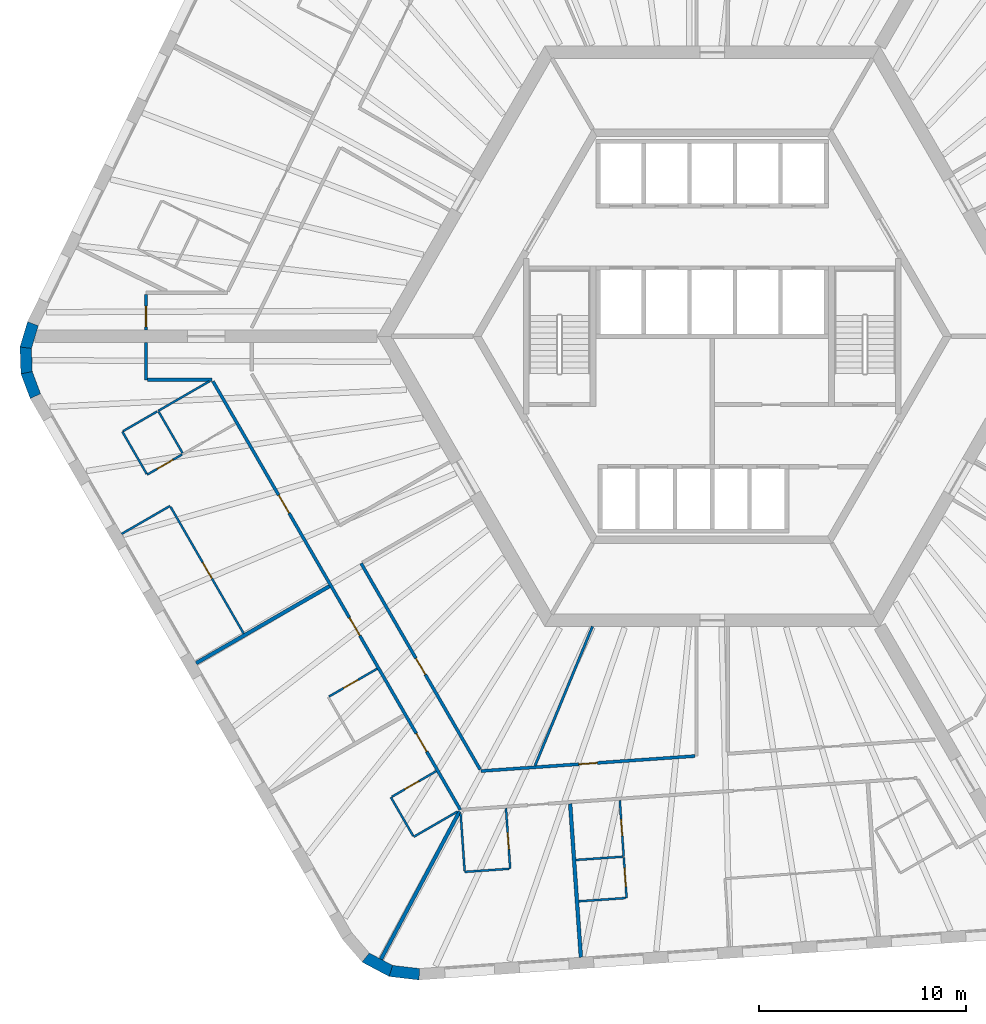
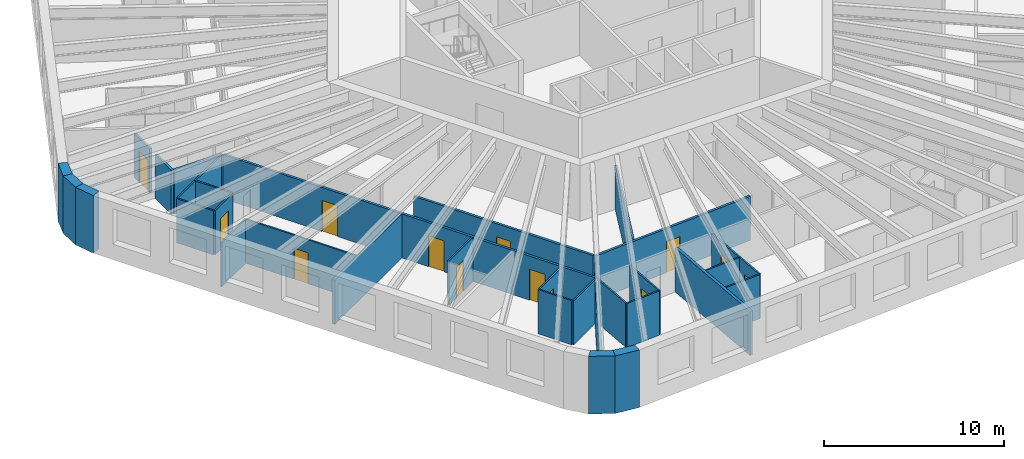
# One storey, part 3 of 12: 33 walls, 13 doors, 13 openings.
"""IFC4 building model written with IfcOpenShell, lengths in metres."""

from ifc_helpers import new_model, si_unit, direction, frame, frame_2d, origin, place, context, subcontext, project, spatial, polyline, rectangle, outline, extrude, material, layer, layer_set, type_object, element, fill, save


model = new_model("IFC4")

# Units and contexts
model_context = context("Model", 3, precision=1e-05, world=origin(), true_north=direction((0.0, 1.0)))
body_context = subcontext(model_context, "Body", "Model", "MODEL_VIEW")
ifc_project = project(units=[si_unit("LENGTHUNIT", "METRE"), si_unit("AREAUNIT", "SQUARE_METRE"), si_unit("VOLUMEUNIT", "CUBIC_METRE"), si_unit("PLANEANGLEUNIT", "RADIAN"), si_unit("MASSUNIT", "GRAM", prefix="KILO")], contexts=[model_context])

# Site, building, storey
site_placement = place(None, origin())
site = spatial("IfcSite", under=ifc_project, at=site_placement, CompositionType="ELEMENT")
building_placement = place(site_placement, origin())
building = spatial("IfcBuilding", under=site, at=building_placement, Name="Tarnside Tower", CompositionType="ELEMENT")
storey_placement = place(building_placement, frame((0.0, 0.0, 127.199951171875)))
storey = spatial("IfcBuildingStorey", under=building, at=storey_placement, Name="L29", CompositionType="ELEMENT", Elevation=127.199951171875)

# Walls
ifc_material_1 = material(Name="Gypsum board partition on steel studs", Category="steel")
ifc_layer_1 = layer(ifc_material_1, 0.10009765625)
ifc_layer_set_1 = layer_set([ifc_layer_1], Name="Bathroom wall 100")
wall_type_1 = type_object("IfcWallType", Name="Bathroom wall 100", PredefinedType="PARTITIONING", material=ifc_layer_set_1)
wall_1_placement = place(storey_placement, frame((-26.731201171875, -3.60009765625, 0.0), z_axis=(0.0, 0.0, 1.0), x_axis=(0.866004402611, 0.500036373335, 0.0)))
element("IfcWall", 1, at=wall_1_placement, inside=storey, type_object=wall_type_1, Name="Bathroom wall 09108", PredefinedType="PARTITIONING", context=body_context, shape_type="SweptSolid", body=[
    extrude(rectangle(XDim=2.849853515625, YDim=0.10009765625, at=frame_2d((1.4248046875, 0.0))), origin(), (0.0, 0.0, 1.0), 2.98779296875),
])
wall_2_placement = place(storey_placement, frame((-26.706298828125, -3.643310546875, 0.0), z_axis=(0.0, 0.0, 1.0), x_axis=(0.499952165731, -0.866053019151, 0.0)))
element("IfcWall", 2, at=wall_2_placement, inside=storey, type_object=wall_type_1, Name="Bathroom wall 09116", PredefinedType="PARTITIONING", context=body_context, shape_type="SweptSolid", body=[
    extrude(rectangle(XDim=2.300048828125, YDim=0.10009765625, at=frame_2d((1.14990234375, 0.0))), origin(), (0.0, 0.0, 1.0), 2.98779296875),
])

# Wall, opening, door
wall_3_placement = place(storey_placement, frame((-18.4853515625, -17.382568359375, 0.0), z_axis=(0.0, 0.0, 1.0), x_axis=(0.866004723184, 0.50003581814, 0.0)))
wall_3 = element("IfcWall", 3, at=wall_3_placement, inside=storey, type_object=wall_type_1, Name="Bathroom wall 09119", PredefinedType="PARTITIONING", context=body_context, shape_type="SweptSolid", body=[
    extrude(rectangle(XDim=2.675048828125, YDim=0.10009765625, at=frame_2d((1.33740234375, 0.0))), origin(), (0.0, 0.0, 1.0), 2.98779296875),
])
opening_1_placement = place(wall_3_placement, frame((0.81005859375, 0.0, 0.0)))
opening_1 = element("IfcOpeningElement", 4, at=opening_1_placement, cuts=wall_3, Name="Opening D-B1", PredefinedType="OPENING", context=body_context, shape_type="SweptSolid", body=[
    extrude(rectangle(XDim=0.800048828125, YDim=2.10009765625, at=frame_2d((0.39990234375, 1.050048828125))), frame((0.0, 0.06005859375, 0.0), z_axis=(0.0, -1.0, 0.0), x_axis=(1.0, 0.0, 0.0)), (0.0, 0.0, 1.0), 0.1201171875),
])
ifc_material_2 = material(Name="Timber door leaf", Category="wood")
door_type_1 = type_object("IfcDoorType", Name="Bathroom door 800", OperationType="NOTDEFINED", PredefinedType="DOOR", material=ifc_material_2)
door_1_placement = place(opening_1_placement, origin())
door_1 = element("IfcDoor", 5, at=door_1_placement, inside=storey, type_object=door_type_1, Name="Bathroom door 09020", OperationType="SINGLE_SWING_RIGHT", OverallHeight=2.10009765625, OverallWidth=0.800048828125, PredefinedType="DOOR", context=body_context, shape_type="SweptSolid", body=[
    extrude(rectangle(XDim=0.800048828125, YDim=2.10009765625, at=frame_2d((0.39990234375, 1.050048828125))), frame((0.0, 0.02490234375, 0.0), z_axis=(0.0, -1.0, 0.0), x_axis=(1.0, 0.0, 0.0)), (0.0, 0.0, 1.0), 0.050048828125),
])
fill(opening_1, door_1)

# Walls
wall_4_placement = place(storey_placement, frame((-12.299560546875, -22.93896484375, 0.0), z_axis=(0.0, 0.0, 1.0), x_axis=(-0.866044985707, -0.499966081581, 0.0)))
element("IfcWall", 6, at=wall_4_placement, inside=storey, type_object=wall_type_1, Name="Bathroom wall 09122", PredefinedType="PARTITIONING", context=body_context, shape_type="SweptSolid", body=[
    extrude(rectangle(XDim=2.428955078125, YDim=0.10009765625, at=frame_2d((1.21435546875, 0.0))), origin(), (0.0, 0.0, 1.0), 2.98779296875),
])
wall_5_placement = place(storey_placement, frame((-14.427978515625, -24.110107421875, 0.0), z_axis=(0.0, 0.0, 1.0), x_axis=(-0.499961633463, 0.866047553582, 0.0)))
element("IfcWall", 7, at=wall_5_placement, inside=storey, type_object=wall_type_1, Name="Bathroom wall 09123", PredefinedType="PARTITIONING", context=body_context, shape_type="SweptSolid", body=[
    extrude(rectangle(XDim=2.150146484375, YDim=0.10009765625, at=frame_2d((1.0751953125, 0.0))), origin(), (0.0, 0.0, 1.0), 2.98779296875),
])

# Wall, opening, door
wall_6_placement = place(storey_placement, frame((-15.459716796875, -22.22314453125, 0.0), z_axis=(0.0, 0.0, 1.0), x_axis=(0.866031185235, 0.4999899861, 0.0)))
wall_6 = element("IfcWall", 8, at=wall_6_placement, inside=storey, type_object=wall_type_1, Name="Bathroom wall 09124", PredefinedType="PARTITIONING", context=body_context, shape_type="SweptSolid", body=[
    extrude(rectangle(XDim=2.47509765625, YDim=0.10009765625, at=frame_2d((1.237548828125, 0.0))), origin(), (0.0, 0.0, 1.0), 2.98779296875),
])
opening_2_placement = place(wall_6_placement, frame((0.719970703125, 0.0, 0.0)))
opening_2 = element("IfcOpeningElement", 9, at=opening_2_placement, cuts=wall_6, Name="Opening D-B1", PredefinedType="OPENING", context=body_context, shape_type="SweptSolid", body=[
    extrude(rectangle(XDim=0.800048828125, YDim=2.10009765625, at=frame_2d((0.39990234375, 1.050048828125))), frame((0.0, 0.06005859375, 0.0), z_axis=(0.0, -1.0, 0.0), x_axis=(1.0, 0.0, 0.0)), (0.0, 0.0, 1.0), 0.1201171875),
])
door_2_placement = place(opening_2_placement, origin())
door_2 = element("IfcDoor", 10, at=door_2_placement, inside=storey, type_object=door_type_1, Name="Bathroom door 09022", OperationType="SINGLE_SWING_RIGHT", OverallHeight=2.10009765625, OverallWidth=0.800048828125, PredefinedType="DOOR", context=body_context, shape_type="SweptSolid", body=[
    extrude(rectangle(XDim=0.800048828125, YDim=2.10009765625, at=frame_2d((0.39990234375, 1.050048828125))), frame((0.0, 0.02490234375, 0.0), z_axis=(0.0, -1.0, 0.0), x_axis=(1.0, 0.0, 0.0)), (0.0, 0.0, 1.0), 0.050048828125),
])
fill(opening_2, door_2)

wall_7_placement = place(storey_placement, frame((-9.951416015625, -22.774658203125, 0.0), z_axis=(0.0, 0.0, 1.0), x_axis=(0.069775971057, -0.997562686683, 0.0)))
wall_7 = element("IfcWall", 11, at=wall_7_placement, inside=storey, type_object=wall_type_1, Name="Bathroom wall 09126", PredefinedType="PARTITIONING", context=body_context, shape_type="SweptSolid", body=[
    extrude(rectangle(XDim=2.925048828125, YDim=0.10009765625, at=frame_2d((1.46240234375, 0.0))), origin(), (0.0, 0.0, 1.0), 2.98779296875),
])
opening_3_placement = place(wall_7_placement, frame((1.175048828125, 0.0, 0.0)))
opening_3 = element("IfcOpeningElement", 12, at=opening_3_placement, cuts=wall_7, Name="Opening D-B1", PredefinedType="OPENING", context=body_context, shape_type="SweptSolid", body=[
    extrude(rectangle(XDim=0.800048828125, YDim=2.10009765625, at=frame_2d((0.39990234375, 1.050048828125))), frame((0.0, 0.06005859375, 0.0), z_axis=(0.0, -1.0, 0.0), x_axis=(1.0, 0.0, 0.0)), (0.0, 0.0, 1.0), 0.1201171875),
])
door_3_placement = place(opening_3_placement, origin())
door_3 = element("IfcDoor", 13, at=door_3_placement, inside=storey, type_object=door_type_1, Name="Bathroom door 09024", OperationType="SINGLE_SWING_LEFT", OverallHeight=2.10009765625, OverallWidth=0.800048828125, PredefinedType="DOOR", context=body_context, shape_type="SweptSolid", body=[
    extrude(rectangle(XDim=0.800048828125, YDim=2.10009765625, at=frame_2d((0.39990234375, 1.050048828125))), frame((0.0, 0.02490234375, 0.0), z_axis=(0.0, -1.0, 0.0), x_axis=(1.0, 0.0, 0.0)), (0.0, 0.0, 1.0), 0.050048828125),
])
fill(opening_3, door_3)

# Walls
wall_8_placement = place(storey_placement, frame((-9.79736328125, -25.696044921875, 0.0), z_axis=(0.0, 0.0, 1.0), x_axis=(-0.997566475845, -0.069721777595, 0.0)))
element("IfcWall", 14, at=wall_8_placement, inside=storey, type_object=wall_type_1, Name="Bathroom wall 09127", PredefinedType="PARTITIONING", context=body_context, shape_type="SweptSolid", body=[
    extrude(rectangle(XDim=2.14990234375, YDim=0.10009765625, at=frame_2d((1.074951171875, 0.0))), origin(), (0.0, 0.0, 1.0), 2.98779296875),
])
wall_9_placement = place(storey_placement, frame((-11.945556640625, -25.796142578125, 0.0), z_axis=(0.0, 0.0, 1.0), x_axis=(-0.069754817075, 0.997564166104, 0.0)))
element("IfcWall", 15, at=wall_9_placement, inside=storey, type_object=wall_type_1, Name="Bathroom wall 09128", PredefinedType="PARTITIONING", context=body_context, shape_type="SweptSolid", body=[
    extrude(rectangle(XDim=2.779052734375, YDim=0.10009765625, at=frame_2d((1.3896484375, 0.0))), origin(), (0.0, 0.0, 1.0), 2.98779296875),
])

# Wall, opening, door
wall_10_placement = place(storey_placement, frame((-4.4599609375, -22.390625, 0.0), z_axis=(0.0, 0.0, 1.0), x_axis=(0.069699857203, -0.99756800766, 0.0)))
wall_10 = element("IfcWall", 16, at=wall_10_placement, inside=storey, type_object=wall_type_1, Name="Bathroom wall 09132", PredefinedType="PARTITIONING", context=body_context, shape_type="SweptSolid", body=[
    extrude(rectangle(XDim=2.72509765625, YDim=0.10009765625, at=frame_2d((1.362548828125, 0.0))), origin(), (0.0, 0.0, 1.0), 2.98779296875),
])
opening_4_placement = place(wall_10_placement, frame((0.925048828125, 0.0, 0.0)))
opening_4 = element("IfcOpeningElement", 17, at=opening_4_placement, cuts=wall_10, Name="Opening D-B1", PredefinedType="OPENING", context=body_context, shape_type="SweptSolid", body=[
    extrude(rectangle(XDim=0.800048828125, YDim=2.10009765625, at=frame_2d((0.39990234375, 1.050048828125))), frame((0.0, 0.06005859375, 0.0), z_axis=(0.0, -1.0, 0.0), x_axis=(1.0, 0.0, 0.0)), (0.0, 0.0, 1.0), 0.1201171875),
])
door_4_placement = place(opening_4_placement, origin())
door_4 = element("IfcDoor", 18, at=door_4_placement, inside=storey, type_object=door_type_1, Name="Bathroom door 09026", OperationType="SINGLE_SWING_RIGHT", OverallHeight=2.10009765625, OverallWidth=0.800048828125, PredefinedType="DOOR", context=body_context, shape_type="SweptSolid", body=[
    extrude(rectangle(XDim=0.800048828125, YDim=2.10009765625, at=frame_2d((0.39990234375, 1.050048828125))), frame((0.0, 0.02490234375, 0.0), z_axis=(0.0, -1.0, 0.0), x_axis=(1.0, 0.0, 0.0)), (0.0, 0.0, 1.0), 0.050048828125),
])
fill(opening_4, door_4)

# Wall
wall_11_placement = place(storey_placement, frame((-6.574462890625, -25.270263671875, 0.0), z_axis=(0.0, 0.0, 1.0), x_axis=(0.997562351999, 0.069780755754, 0.0)))
element("IfcWall", 19, at=wall_11_placement, inside=storey, type_object=wall_type_1, Name="Bathroom wall 09138", PredefinedType="PARTITIONING", context=body_context, shape_type="SweptSolid", body=[
    extrude(rectangle(XDim=2.26025390625, YDim=0.10009765625, at=frame_2d((1.130126953125, 0.0))), origin(), (0.0, 0.0, 1.0), 2.98779296875),
])

# Wall, opening, door
ifc_layer_2 = layer(ifc_material_1, 0.14990234375)
ifc_layer_set_2 = layer_set([ifc_layer_2], Name="Corridor wall 150 EI 60")
wall_type_2 = type_object("IfcWallType", Name="Corridor wall 150 EI 60", PredefinedType="PARTITIONING", material=ifc_layer_set_2)
wall_12_placement = place(storey_placement, frame((-27.3203125, 2.02490234375, 0.0), z_axis=(0.0, 0.0, 1.0), x_axis=(0.0, -1.0, 0.0)))
wall_12 = element("IfcWall", 20, at=wall_12_placement, inside=storey, type_object=wall_type_2, Name="Corridor wall 09016", PredefinedType="PARTITIONING", context=body_context, shape_type="SweptSolid", body=[
    extrude(rectangle(XDim=1.724853515625, YDim=0.14990234375, at=frame_2d((0.8623046875, 0.0))), origin(), (0.0, 0.0, 1.0), 2.98779296875),
])
opening_5_placement = place(wall_12_placement, frame((0.574951171875, 0.0, 0.0)))
opening_5 = element("IfcOpeningElement", 21, at=opening_5_placement, cuts=wall_12, Name="Opening D-E1", PredefinedType="OPENING", context=body_context, shape_type="SweptSolid", body=[
    extrude(rectangle(XDim=1.0, YDim=2.10009765625, at=frame_2d((0.5, 1.050048828125))), frame((0.0, 0.0849609375, 0.0), z_axis=(0.0, -1.0, 0.0), x_axis=(1.0, 0.0, 0.0)), (0.0, 0.0, 1.0), 0.169921875),
])
door_type_2 = type_object("IfcDoorType", Name="Unit entrance door 1000 FD30S", OperationType="NOTDEFINED", PredefinedType="DOOR", material=ifc_material_2)
door_5_placement = place(opening_5_placement, origin())
door_5 = element("IfcDoor", 22, at=door_5_placement, inside=storey, type_object=door_type_2, Name="Unit door 09014", OperationType="SINGLE_SWING_LEFT", OverallHeight=2.10009765625, OverallWidth=1.0, PredefinedType="DOOR", context=body_context, shape_type="SweptSolid", body=[
    extrude(rectangle(XDim=1.0, YDim=2.10009765625, at=frame_2d((0.5, 1.050048828125))), frame((0.0, 0.02490234375, 0.0), z_axis=(0.0, -1.0, 0.0), x_axis=(1.0, 0.0, 0.0)), (0.0, 0.0, 1.0), 0.050048828125),
])
fill(opening_5, door_5)

# Walls
wall_13_placement = place(storey_placement, frame((-27.3203125, -0.300048828125, 0.0), z_axis=(0.0, 0.0, 1.0), x_axis=(0.0, -1.0, 0.0)))
element("IfcWall", 23, at=wall_13_placement, inside=storey, type_object=wall_type_2, Name="Corridor wall 09027", PredefinedType="PARTITIONING", context=body_context, shape_type="SweptSolid", body=[
    extrude(rectangle(XDim=1.800048828125, YDim=0.14990234375, at=frame_2d((0.89990234375, 0.0))), origin(), (0.0, 0.0, 1.0), 2.98779296875),
])
wall_14_placement = place(storey_placement, frame((-27.245361328125, -2.10009765625, 0.0), z_axis=(0.0, 0.0, 1.0), x_axis=(1.0, 0.0, 0.0)))
element("IfcWall", 24, at=wall_14_placement, inside=storey, type_object=wall_type_2, Name="Corridor wall 09028", PredefinedType="PARTITIONING", context=body_context, shape_type="SweptSolid", body=[
    extrude(rectangle(XDim=3.112060546875, YDim=0.14990234375, at=frame_2d((1.55615234375, 0.0))), origin(), (0.0, 0.0, 1.0), 2.98779296875),
])

# Wall, openings, doors
wall_15_placement = place(storey_placement, frame((-24.08984375, -2.175048828125, 0.0), z_axis=(0.0, 0.0, 1.0), x_axis=(0.499996832073, -0.86602723278, 0.0)))
wall_15 = element("IfcWall", 25, at=wall_15_placement, inside=storey, type_object=wall_type_2, Name="Corridor wall 09029", PredefinedType="PARTITIONING", context=body_context, shape_type="SweptSolid", body=[
    extrude(rectangle(XDim=23.877197265625, YDim=0.14990234375, at=frame_2d((11.9384765625, 0.0))), origin(), (0.0, 0.0, 1.0), 2.98779296875),
])
opening_6_placement = place(wall_15_placement, frame((6.343017578125, 0.0, 0.0)))
opening_6 = element("IfcOpeningElement", 26, at=opening_6_placement, cuts=wall_15, Name="Opening D-E1", PredefinedType="OPENING", context=body_context, shape_type="SweptSolid", body=[
    extrude(rectangle(XDim=1.0, YDim=2.10009765625, at=frame_2d((0.5, 1.050048828125))), frame((0.0, 0.0849609375, 0.0), z_axis=(0.0, -1.0, 0.0), x_axis=(1.0, 0.0, 0.0)), (0.0, 0.0, 1.0), 0.169921875),
])
opening_7_placement = place(wall_15_placement, frame((13.17236328125, 0.0, 0.0)))
opening_7 = element("IfcOpeningElement", 27, at=opening_7_placement, cuts=wall_15, Name="Opening D-E1", PredefinedType="OPENING", context=body_context, shape_type="SweptSolid", body=[
    extrude(rectangle(XDim=1.0, YDim=2.10009765625, at=frame_2d((0.5, 1.050048828125))), frame((0.0, 0.0849609375, 0.0), z_axis=(0.0, -1.0, 0.0), x_axis=(1.0, 0.0, 0.0)), (0.0, 0.0, 1.0), 0.169921875),
])
opening_8_placement = place(wall_15_placement, frame((19.624755859375, 0.0, 0.0)))
opening_8 = element("IfcOpeningElement", 28, at=opening_8_placement, cuts=wall_15, Name="Opening D-E1", PredefinedType="OPENING", context=body_context, shape_type="SweptSolid", body=[
    extrude(rectangle(XDim=1.0, YDim=2.10009765625, at=frame_2d((0.5, 1.050048828125))), frame((0.0, 0.0849609375, 0.0), z_axis=(0.0, -1.0, 0.0), x_axis=(1.0, 0.0, 0.0)), (0.0, 0.0, 1.0), 0.169921875),
])
door_6_placement = place(opening_6_placement, origin())
door_6 = element("IfcDoor", 29, at=door_6_placement, inside=storey, type_object=door_type_2, Name="Unit door 09015", OperationType="SINGLE_SWING_LEFT", OverallHeight=2.10009765625, OverallWidth=1.0, PredefinedType="DOOR", context=body_context, shape_type="SweptSolid", body=[
    extrude(rectangle(XDim=1.0, YDim=2.10009765625, at=frame_2d((0.5, 1.050048828125))), frame((0.0, 0.02490234375, 0.0), z_axis=(0.0, -1.0, 0.0), x_axis=(1.0, 0.0, 0.0)), (0.0, 0.0, 1.0), 0.050048828125),
])
fill(opening_6, door_6)
door_7_placement = place(opening_7_placement, origin())
door_7 = element("IfcDoor", 30, at=door_7_placement, inside=storey, type_object=door_type_2, Name="Unit door 09019", OperationType="SINGLE_SWING_LEFT", OverallHeight=2.10009765625, OverallWidth=1.0, PredefinedType="DOOR", context=body_context, shape_type="SweptSolid", body=[
    extrude(rectangle(XDim=1.0, YDim=2.10009765625, at=frame_2d((0.5, 1.050048828125))), frame((0.0, 0.02490234375, 0.0), z_axis=(0.0, -1.0, 0.0), x_axis=(1.0, 0.0, 0.0)), (0.0, 0.0, 1.0), 0.050048828125),
])
fill(opening_7, door_7)
door_8_placement = place(opening_8_placement, origin())
door_8 = element("IfcDoor", 31, at=door_8_placement, inside=storey, type_object=door_type_2, Name="Unit door 09021", OperationType="SINGLE_SWING_RIGHT", OverallHeight=2.10009765625, OverallWidth=1.0, PredefinedType="DOOR", context=body_context, shape_type="SweptSolid", body=[
    extrude(rectangle(XDim=1.0, YDim=2.10009765625, at=frame_2d((0.5, 1.050048828125))), frame((0.0, 0.02490234375, 0.0), z_axis=(0.0, -1.0, 0.0), x_axis=(1.0, 0.0, 0.0)), (0.0, 0.0, 1.0), 0.050048828125),
])
fill(opening_8, door_8)

# Wall, opening, door
wall_16_placement = place(storey_placement, frame((-0.824951171875, -20.2568359375, 0.0), z_axis=(0.0, 0.0, 1.0), x_axis=(-0.9975635143, -0.069764137903, 0.0)))
wall_16 = element("IfcWall", 32, at=wall_16_placement, inside=storey, type_object=wall_type_2, Name="Corridor wall 09048", PredefinedType="PARTITIONING", context=body_context, shape_type="SweptSolid", body=[
    extrude(rectangle(XDim=10.35498046875, YDim=0.14990234375, at=frame_2d((5.177490234375, 0.0))), origin(), (0.0, 0.0, 1.0), 2.98779296875),
])
opening_9_placement = place(wall_16_placement, frame((4.7275390625, 0.0, 0.0)))
opening_9 = element("IfcOpeningElement", 33, at=opening_9_placement, cuts=wall_16, Name="Opening D-S1", PredefinedType="OPENING", context=body_context, shape_type="SweptSolid", body=[
    extrude(rectangle(XDim=0.89990234375, YDim=2.10009765625, at=frame_2d((0.449951171875, 1.050048828125))), frame((0.0, 0.0849609375, 0.0), z_axis=(0.0, -1.0, 0.0), x_axis=(1.0, 0.0, 0.0)), (0.0, 0.0, 1.0), 0.169921875),
])
door_type_3 = type_object("IfcDoorType", Name="Service room door 900 FD30S", OperationType="NOTDEFINED", PredefinedType="DOOR", material=ifc_material_2)
door_9_placement = place(opening_9_placement, origin())
door_9 = element("IfcDoor", 34, at=door_9_placement, inside=storey, type_object=door_type_3, Name="Service door 09050", OperationType="SINGLE_SWING_LEFT", OverallHeight=2.10009765625, OverallWidth=0.89990234375, PredefinedType="DOOR", context=body_context, shape_type="SweptSolid", body=[
    extrude(rectangle(XDim=0.89990234375, YDim=2.10009765625, at=frame_2d((0.449951171875, 1.050048828125))), frame((0.0, 0.02490234375, 0.0), z_axis=(0.0, -1.0, 0.0), x_axis=(1.0, 0.0, 0.0)), (0.0, 0.0, 1.0), 0.050048828125),
])
fill(opening_9, door_9)

wall_17_placement = place(storey_placement, frame((-11.196533203125, -20.906982421875, 0.0), z_axis=(0.0, 0.0, 1.0), x_axis=(-0.500004557924, 0.86602277225, 0.0)))
wall_17 = element("IfcWall", 35, at=wall_17_placement, inside=storey, type_object=wall_type_2, Name="Corridor wall 09050", PredefinedType="PARTITIONING", context=body_context, shape_type="SweptSolid", body=[
    extrude(rectangle(XDim=11.48681640625, YDim=0.14990234375, at=frame_2d((5.743408203125, 0.0))), origin(), (0.0, 0.0, 1.0), 2.98779296875),
])
opening_10_placement = place(wall_17_placement, frame((5.293212890625, 0.0, 0.0)))
opening_10 = element("IfcOpeningElement", 36, at=opening_10_placement, cuts=wall_17, Name="Opening D-S1", PredefinedType="OPENING", context=body_context, shape_type="SweptSolid", body=[
    extrude(rectangle(XDim=0.89990234375, YDim=2.10009765625, at=frame_2d((0.449951171875, 1.050048828125))), frame((0.0, 0.0849609375, 0.0), z_axis=(0.0, -1.0, 0.0), x_axis=(1.0, 0.0, 0.0)), (0.0, 0.0, 1.0), 0.169921875),
])
door_10_placement = place(opening_10_placement, origin())
door_10 = element("IfcDoor", 37, at=door_10_placement, inside=storey, type_object=door_type_3, Name="Service door 09051", OperationType="SINGLE_SWING_RIGHT", OverallHeight=2.10009765625, OverallWidth=0.89990234375, PredefinedType="DOOR", context=body_context, shape_type="SweptSolid", body=[
    extrude(rectangle(XDim=0.89990234375, YDim=2.10009765625, at=frame_2d((0.449951171875, 1.050048828125))), frame((0.0, 0.02490234375, 0.0), z_axis=(0.0, -1.0, 0.0), x_axis=(1.0, 0.0, 0.0)), (0.0, 0.0, 1.0), 0.050048828125),
])
fill(opening_10, door_10)

# Walls
ifc_layer_3 = layer(ifc_material_1, 0.179931640625)
ifc_layer_set_3 = layer_set([ifc_layer_3], Name="Demising wall 180 EI 60")
wall_type_3 = type_object("IfcWallType", Name="Demising wall 180 EI 60", PredefinedType="PARTITIONING", material=ifc_layer_set_3)
wall_18_placement = place(storey_placement, frame((-24.89892578125, -15.773681640625, 0.0), z_axis=(0.0, 0.0, 1.0), x_axis=(0.866028983062, 0.499993800457, 0.0)))
element("IfcWall", 38, at=wall_18_placement, inside=storey, type_object=wall_type_3, Name="Demising wall 09115", PredefinedType="PARTITIONING", context=body_context, shape_type="SweptSolid", body=[
    extrude(rectangle(XDim=7.4248046875, YDim=0.179931640625, at=frame_2d((3.71240234375, 0.0))), origin(), (0.0, 0.0, 1.0), 2.98779296875),
])
wall_19_placement = place(storey_placement, frame((-15.98291015625, -30.059326171875, 0.0), z_axis=(0.0, 0.0, 1.0), x_axis=(0.469476547643, 0.882944942346, 0.0)))
element("IfcWall", 39, at=wall_19_placement, inside=storey, type_object=wall_type_3, Name="Demising wall 09125", PredefinedType="PARTITIONING", context=body_context, shape_type="SweptSolid", body=[
    extrude(rectangle(XDim=8.072998046875, YDim=0.179931640625, at=frame_2d((4.03662109375, 0.0))), origin(), (0.0, 0.0, 1.0), 2.98779296875),
])
wall_20_placement = place(storey_placement, frame((-6.336181640625, -29.965087890625, 0.0), z_axis=(0.0, 0.0, 1.0), x_axis=(-0.06977252161, 0.997562927954, 0.0)))
element("IfcWall", 40, at=wall_20_placement, inside=storey, type_object=wall_type_3, Name="Demising wall 09129", PredefinedType="PARTITIONING", context=body_context, shape_type="SweptSolid", body=[
    extrude(rectangle(XDim=7.425048828125, YDim=0.179931640625, at=frame_2d((3.71240234375, 0.0))), origin(), (0.0, 0.0, 1.0), 2.98779296875),
])

# Wall, opening, door
ifc_layer_4 = layer(ifc_material_1, 0.10009765625)
ifc_layer_set_4 = layer_set([ifc_layer_4], Name="Partition 100")
wall_type_4 = type_object("IfcWallType", Name="Partition 100", PredefinedType="PARTITIONING", material=ifc_layer_set_4)
wall_21_placement = place(storey_placement, frame((-25.57470703125, -5.703369140625, 0.0), z_axis=(0.0, 0.0, 1.0), x_axis=(-0.866000020948, -0.500043961785, 0.0)))
wall_21 = element("IfcWall", 41, at=wall_21_placement, inside=storey, type_object=wall_type_4, Name="Partition wall 09110", PredefinedType="PARTITIONING", context=body_context, shape_type="SweptSolid", body=[
    extrude(rectangle(XDim=1.949951171875, YDim=0.10009765625, at=frame_2d((0.97509765625, 0.0))), origin(), (0.0, 0.0, 1.0), 2.98779296875),
])
opening_11_placement = place(wall_21_placement, frame((0.5, 0.0, 0.0)))
opening_11 = element("IfcOpeningElement", 42, at=opening_11_placement, cuts=wall_21, Name="Opening D-I1", PredefinedType="OPENING", context=body_context, shape_type="SweptSolid", body=[
    extrude(rectangle(XDim=0.89990234375, YDim=2.10009765625, at=frame_2d((0.449951171875, 1.050048828125))), frame((0.0, 0.06005859375, 0.0), z_axis=(0.0, -1.0, 0.0), x_axis=(1.0, 0.0, 0.0)), (0.0, 0.0, 1.0), 0.1201171875),
])
door_type_4 = type_object("IfcDoorType", Name="Internal door 900", OperationType="NOTDEFINED", PredefinedType="DOOR", material=ifc_material_2)
door_11_placement = place(opening_11_placement, origin())
door_11 = element("IfcDoor", 43, at=door_11_placement, inside=storey, type_object=door_type_4, Name="Internal door 09017", OperationType="SINGLE_SWING_RIGHT", OverallHeight=2.10009765625, OverallWidth=0.89990234375, PredefinedType="DOOR", context=body_context, shape_type="SweptSolid", body=[
    extrude(rectangle(XDim=0.89990234375, YDim=2.10009765625, at=frame_2d((0.449951171875, 1.050048828125))), frame((0.0, 0.02490234375, 0.0), z_axis=(0.0, -1.0, 0.0), x_axis=(1.0, 0.0, 0.0)), (0.0, 0.0, 1.0), 0.050048828125),
])
fill(opening_11, door_11)

# Walls
wall_22_placement = place(storey_placement, frame((-27.288330078125, -6.63525390625, 0.0), z_axis=(0.0, 0.0, 1.0), x_axis=(-0.500016218704, 0.866016039709, 0.0)))
element("IfcWall", 44, at=wall_22_placement, inside=storey, type_object=wall_type_4, Name="Partition wall 09111", PredefinedType="PARTITIONING", context=body_context, shape_type="SweptSolid", body=[
    extrude(rectangle(XDim=2.35009765625, YDim=0.10009765625, at=frame_2d((1.175048828125, 0.0))), origin(), (0.0, 0.0, 1.0), 2.98779296875),
])
wall_23_placement = place(storey_placement, frame((-28.420166015625, -4.574951171875, 0.0), z_axis=(0.0, 0.0, 1.0), x_axis=(0.866044365799, 0.499967155389, 0.0)))
element("IfcWall", 45, at=wall_23_placement, inside=storey, type_object=wall_type_4, Name="Partition wall 09112", PredefinedType="PARTITIONING", context=body_context, shape_type="SweptSolid", body=[
    extrude(rectangle(XDim=1.900146484375, YDim=0.10009765625, at=frame_2d((0.9501953125, 0.0))), origin(), (0.0, 0.0, 1.0), 2.98779296875),
])
wall_24_placement = place(storey_placement, frame((-28.4990234375, -9.538330078125, 0.0), z_axis=(0.0, 0.0, 1.0), x_axis=(0.866059108428, 0.4999416173, 0.0)))
element("IfcWall", 46, at=wall_24_placement, inside=storey, type_object=wall_type_4, Name="Partition wall 09113", PredefinedType="PARTITIONING", context=body_context, shape_type="SweptSolid", body=[
    extrude(rectangle(XDim=2.699951171875, YDim=0.10009765625, at=frame_2d((1.35009765625, 0.0))), origin(), (0.0, 0.0, 1.0), 2.98779296875),
])

# Wall, opening, door
wall_25_placement = place(storey_placement, frame((-26.1357421875, -8.231689453125, 0.0), z_axis=(0.0, 0.0, 1.0), x_axis=(0.499995846692, -0.866027801685, 0.0)))
wall_25 = element("IfcWall", 47, at=wall_25_placement, inside=storey, type_object=wall_type_4, Name="Partition wall 09114", PredefinedType="PARTITIONING", context=body_context, shape_type="SweptSolid", body=[
    extrude(rectangle(XDim=7.06005859375, YDim=0.10009765625, at=frame_2d((3.530029296875, 0.0))), origin(), (0.0, 0.0, 1.0), 2.98779296875),
])
opening_12_placement = place(wall_25_placement, frame((3.10009765625, 0.0, 0.0)))
opening_12 = element("IfcOpeningElement", 48, at=opening_12_placement, cuts=wall_25, Name="Opening D-I1", PredefinedType="OPENING", context=body_context, shape_type="SweptSolid", body=[
    extrude(rectangle(XDim=0.89990234375, YDim=2.10009765625, at=frame_2d((0.449951171875, 1.050048828125))), frame((0.0, 0.06005859375, 0.0), z_axis=(0.0, -1.0, 0.0), x_axis=(1.0, 0.0, 0.0)), (0.0, 0.0, 1.0), 0.1201171875),
])
door_12_placement = place(opening_12_placement, origin())
door_12 = element("IfcDoor", 49, at=door_12_placement, inside=storey, type_object=door_type_4, Name="Internal door 09018", OperationType="SINGLE_SWING_RIGHT", OverallHeight=2.10009765625, OverallWidth=0.89990234375, PredefinedType="DOOR", context=body_context, shape_type="SweptSolid", body=[
    extrude(rectangle(XDim=0.89990234375, YDim=2.10009765625, at=frame_2d((0.449951171875, 1.050048828125))), frame((0.0, 0.02490234375, 0.0), z_axis=(0.0, -1.0, 0.0), x_axis=(1.0, 0.0, 0.0)), (0.0, 0.0, 1.0), 0.050048828125),
])
fill(opening_12, door_12)

wall_26_placement = place(storey_placement, frame((-4.2666015625, -25.158935546875, 0.0), z_axis=(0.0, 0.0, 1.0), x_axis=(0.06985902805, -0.997556873667, 0.0)))
wall_26 = element("IfcWall", 50, at=wall_26_placement, inside=storey, type_object=wall_type_4, Name="Partition wall 09133", PredefinedType="PARTITIONING", context=body_context, shape_type="SweptSolid", body=[
    extrude(rectangle(XDim=1.9501953125, YDim=0.10009765625, at=frame_2d((0.97509765625, 0.0))), origin(), (0.0, 0.0, 1.0), 2.98779296875),
])
opening_13_placement = place(wall_26_placement, frame((0.5, 0.0, 0.0)))
opening_13 = element("IfcOpeningElement", 51, at=opening_13_placement, cuts=wall_26, Name="Opening D-I1", PredefinedType="OPENING", context=body_context, shape_type="SweptSolid", body=[
    extrude(rectangle(XDim=0.89990234375, YDim=2.10009765625, at=frame_2d((0.449951171875, 1.050048828125))), frame((0.0, 0.06005859375, 0.0), z_axis=(0.0, -1.0, 0.0), x_axis=(1.0, 0.0, 0.0)), (0.0, 0.0, 1.0), 0.1201171875),
])
door_13_placement = place(opening_13_placement, origin())
door_13 = element("IfcDoor", 52, at=door_13_placement, inside=storey, type_object=door_type_4, Name="Internal door 09027", OperationType="SINGLE_SWING_RIGHT", OverallHeight=2.10009765625, OverallWidth=0.89990234375, PredefinedType="DOOR", context=body_context, shape_type="SweptSolid", body=[
    extrude(rectangle(XDim=0.89990234375, YDim=2.10009765625, at=frame_2d((0.449951171875, 1.050048828125))), frame((0.0, 0.02490234375, 0.0), z_axis=(0.0, -1.0, 0.0), x_axis=(1.0, 0.0, 0.0)), (0.0, 0.0, 1.0), 0.050048828125),
])
fill(opening_13, door_13)

# Walls
wall_27_placement = place(storey_placement, frame((-4.180419921875, -27.107666015625, 0.0), z_axis=(0.0, 0.0, 1.0), x_axis=(-0.997561825928, -0.069788275888, 0.0)))
element("IfcWall", 53, at=wall_27_placement, inside=storey, type_object=wall_type_4, Name="Partition wall 09134", PredefinedType="PARTITIONING", context=body_context, shape_type="SweptSolid", body=[
    extrude(rectangle(XDim=2.260009765625, YDim=0.10009765625, at=frame_2d((1.1298828125, 0.0))), origin(), (0.0, 0.0, 1.0), 2.98779296875),
])
ifc_layer_5 = layer(ifc_material_1, 0.1201171875)
ifc_layer_set_5 = layer_set([ifc_layer_5], Name="Service room wall 120 EI 60")
wall_type_5 = type_object("IfcWallType", Name="Service room wall 120 EI 60", PredefinedType="PARTITIONING", material=ifc_layer_set_5)
wall_28_placement = place(storey_placement, frame((-5.775390625, -14.0, 0.0), z_axis=(0.0, 0.0, 1.0), x_axis=(-0.381361051417, -0.924426172532, 0.0)))
element("IfcWall", 54, at=wall_28_placement, inside=storey, type_object=wall_type_5, Name="Service wall 09175", PredefinedType="PARTITIONING", context=body_context, shape_type="SweptSolid", body=[
    extrude(rectangle(XDim=7.271240234375, YDim=0.1201171875, at=frame_2d((3.6357421875, 0.0))), origin(), (0.0, 0.0, 1.0), 2.98779296875),
])
ifc_material_3 = material(Name="Facing brick", Category="masonry")
ifc_layer_6 = layer(ifc_material_3, 0.10205078125)
ifc_material_4 = material(Name="Concrete C60/75 precast", Category="concrete")
ifc_layer_7 = layer(ifc_material_4, 0.347900390625)
ifc_material_5 = material(Name="Mineral wool insulation")
ifc_layer_8 = layer(ifc_material_5, 0.10009765625)
ifc_layer_set_6 = layer_set([ifc_layer_6, ifc_layer_7, ifc_layer_8], Name="Tube wall 550 brick faced")
wall_type_6 = type_object("IfcWallType", Name="Tube wall 550 brick faced", PredefinedType="SOLIDWALL", material=ifc_layer_set_6)
wall_29_placement = place(storey_placement, frame((-32.77685546875, 0.605224609375, -0.14990234375), z_axis=(0.0, 0.0, 1.0), x_axis=(-0.286921497463, -0.957954098219, 0.0)))
element("IfcWall", 55, at=wall_29_placement, inside=storey, type_object=wall_type_6, Name="Tube wall L29 F2 chord 05", PredefinedType="SOLIDWALL", context=body_context, shape_type="SweptSolid", body=[
    extrude(outline(polyline([(-0.0224609375, -0.27490234375), (1.25341796875, -0.27490234375), (1.1630859375, 0.27490234375), (0.0224609375, 0.27490234375), (-0.0224609375, -0.27490234375)])), origin(), (0.0, 0.0, 1.0), 3.89990234375),
])
wall_30_placement = place(storey_placement, frame((-33.12353515625, -0.55224609375, -0.14990234375), z_axis=(0.0, 0.0, 1.0), x_axis=(0.03495638276, -0.999388838893, 0.0)))
element("IfcWall", 56, at=wall_30_placement, inside=storey, type_object=wall_type_6, Name="Tube wall L29 F2 chord 06", PredefinedType="SOLIDWALL", context=body_context, shape_type="SweptSolid", body=[
    extrude(outline(polyline([(-0.045166015625, -0.27490234375), (1.25341796875, -0.27490234375), (1.1630859375, 0.27490234375), (0.045166015625, 0.27490234375), (-0.045166015625, -0.27490234375)])), origin(), (0.0, 0.0, 1.0), 3.89990234375),
])
wall_31_placement = place(storey_placement, frame((-33.081298828125, -1.759765625, -0.14990234375), z_axis=(0.0, 0.0, 1.0), x_axis=(0.353027214741, -0.935613053378, 0.0)))
element("IfcWall", 57, at=wall_31_placement, inside=storey, type_object=wall_type_6, Name="Tube wall L29 F2 chord 07", PredefinedType="SOLIDWALL", context=body_context, shape_type="SweptSolid", body=[
    extrude(outline(polyline([(-0.045166015625, -0.27490234375), (1.230712890625, -0.27490234375), (1.185791015625, 0.27490234375), (0.045166015625, 0.27490234375), (-0.045166015625, -0.27490234375)])), origin(), (0.0, 0.0, 1.0), 3.89990234375),
])
wall_32_placement = place(storey_placement, frame((-16.720703125, -29.978515625, -0.14990234375), z_axis=(0.0, 0.0, 1.0), x_axis=(0.882994189209, -0.469383917304, 0.0)))
element("IfcWall", 58, at=wall_32_placement, inside=storey, type_object=wall_type_6, Name="Tube wall L29 F3 chord 10", PredefinedType="SOLIDWALL", context=body_context, shape_type="SweptSolid", body=[
    extrude(outline(polyline([(-0.0517578125, -0.27490234375), (1.4306640625, -0.27490234375), (1.3271484375, 0.27490234375), (0.0517578125, 0.27490234375), (-0.0517578125, -0.27490234375)])), origin(), (0.0, 0.0, 1.0), 3.89990234375),
])
wall_33_placement = place(storey_placement, frame((-15.503173828125, -30.625732421875, -0.14990234375), z_axis=(0.0, 0.0, 1.0), x_axis=(0.993232537394, -0.11614269956, 0.0)))
element("IfcWall", 59, at=wall_33_placement, inside=storey, type_object=wall_type_6, Name="Tube wall L29 F3 chord 11", PredefinedType="SOLIDWALL", context=body_context, shape_type="SweptSolid", body=[
    extrude(outline(polyline([(-0.0517578125, -0.27490234375), (1.404541015625, -0.27490234375), (1.353271484375, 0.27490234375), (0.0517578125, 0.27490234375), (-0.0517578125, -0.27490234375)])), origin(), (0.0, 0.0, 1.0), 3.89990234375),
])

save(model, "model.ifc")
